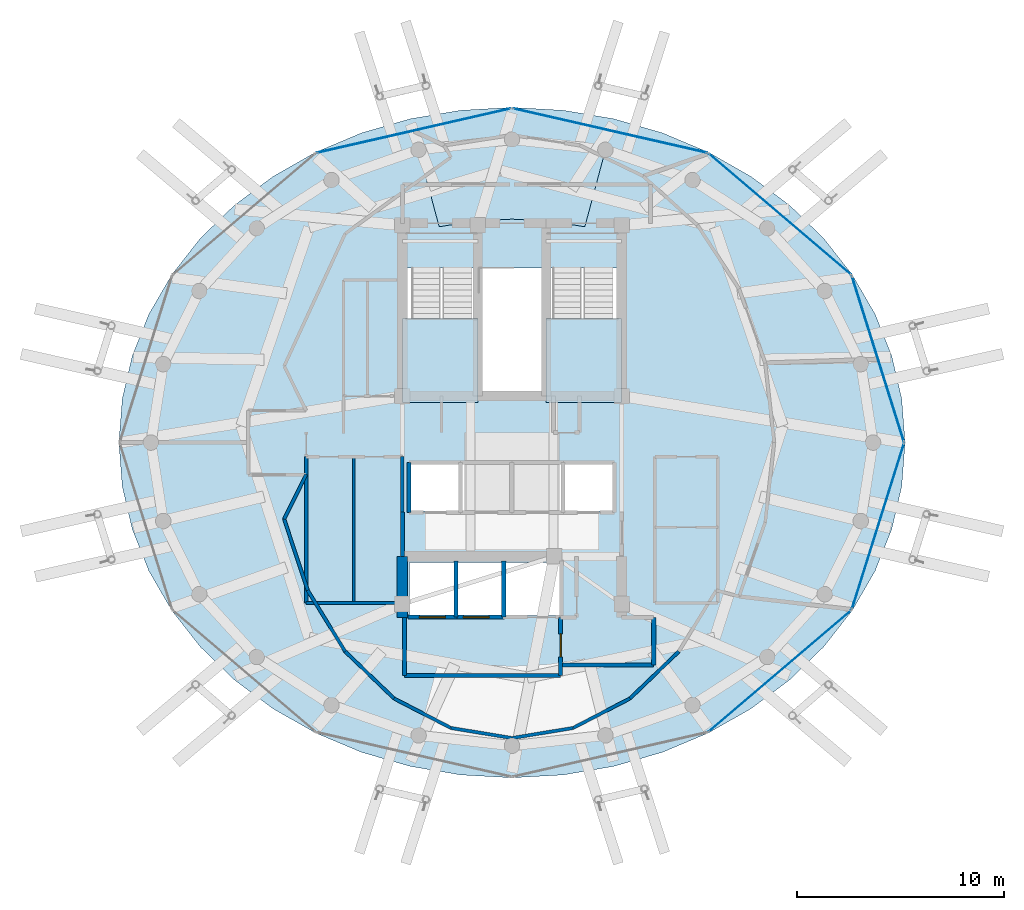
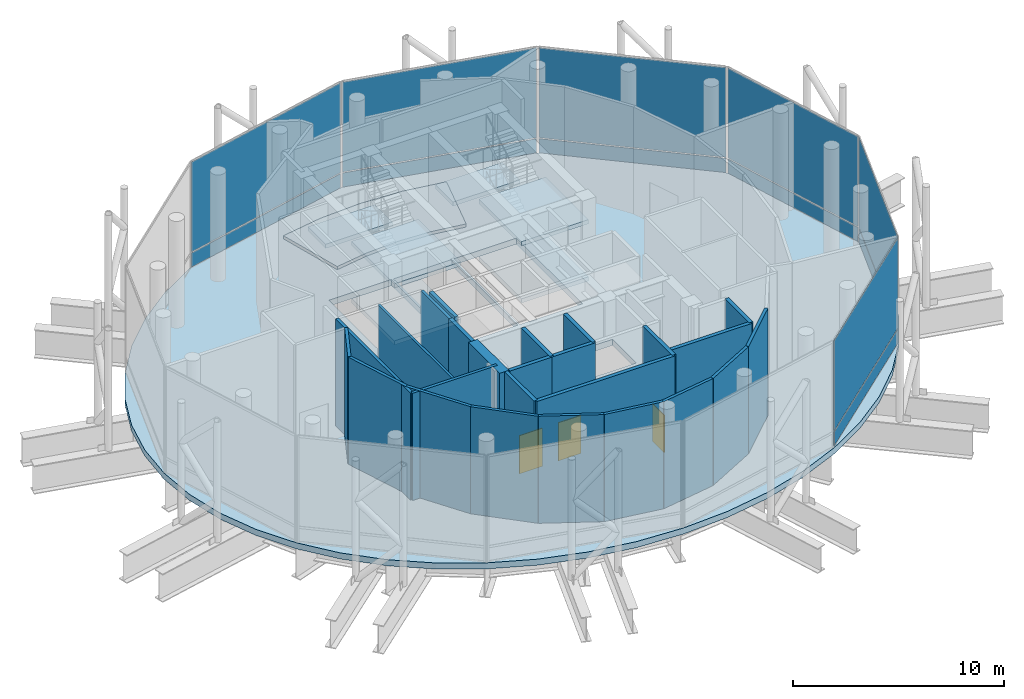
# One storey, part 20 of 26: 25 walls, 12 plates, 8 slabs, 3 doors, 3 openings, 8 elements without a shape of their own.
"""IFC4 building model written with IfcOpenShell, lengths in metres."""

import ifcopenshell
import ifcopenshell.guid

model = None  # the IFC model being written
_history = None  # IfcOwnerHistory: only IFC2X3 demands one
_inside = {}  # id of a spatial element -> (the spatial element, [elements in it])
_under = {}  # id of a project, library or spatial element -> (it, [spatial elements below it])
_declared = {}  # id of a project -> (the project, [libraries it declares])
_typed = {}  # id of a type object -> (the type object, [elements of that type])
_made_of = {}  # id of a material, layer set ... -> (it, [elements and type objects made of it])


def new_model(schema):
    """Start an empty IFC model of exactly this schema.

    Asked for "IFC4X3", IfcOpenShell would pick the latest addendum, in which some entities
    have other attributes; the version numbers below select the first issue.
    IFC2X3 requires an IfcOwnerHistory on every rooted entity: one is made here for all.
    """
    global model, _history
    if schema == "IFC4X3":
        model = ifcopenshell.file(schema_version=(4, 3, 0, 0))
    else:
        model = ifcopenshell.file(schema=schema)
    _inside.clear()
    _under.clear()
    _declared.clear()
    _typed.clear()
    _made_of.clear()
    _history = None
    if model.schema == "IFC2X3":
        org = make("IfcOrganization", Name="unknown")
        user = make(
            "IfcPersonAndOrganization",
            ThePerson=make("IfcPerson", FamilyName="unknown"),
            TheOrganization=org,
        )
        app = make(
            "IfcApplication",
            ApplicationDeveloper=org,
            Version="unknown",
            ApplicationFullName="unknown",
            ApplicationIdentifier="unknown",
        )
        _history = make(
            "IfcOwnerHistory",
            OwningUser=user,
            OwningApplication=app,
            ChangeAction="ADDED",
            CreationDate=0,
        )
    return model


def make(cls, **values):
    """One entity of the class cls with the attributes given. An attribute that is None is left unset."""
    return model.create_entity(
        cls, **{name: value for name, value in values.items() if value is not None}
    )


def rooted(cls, **values):
    """An entity with a GlobalId (a new one), such as an element, a storey or a relation."""
    return make(cls, GlobalId=ifcopenshell.guid.new(), OwnerHistory=_history, **values)


def si_unit(unit_type, name, prefix=None):
    """IfcSIUnit, for example si_unit("LENGTHUNIT", "METRE", prefix="MILLI")."""
    return make("IfcSIUnit", UnitType=unit_type, Prefix=prefix, Name=name)


def assignment(units):
    """IfcUnitAssignment: the units of a project."""
    return None if units is None else make("IfcUnitAssignment", Units=units)


def point(xyz):
    """IfcCartesianPoint."""
    return None if xyz is None else make("IfcCartesianPoint", Coordinates=xyz)


def direction(xyz):
    """IfcDirection."""
    return None if xyz is None else make("IfcDirection", DirectionRatios=xyz)


def frame(location, z_axis=None, x_axis=None):
    """IfcAxis2Placement3D, a coordinate frame: its origin and axes. An axis left out is left unset."""
    return make(
        "IfcAxis2Placement3D",
        Location=point(location),
        Axis=direction(z_axis),
        RefDirection=direction(x_axis),
    )


def frame_2d(location, x_axis=None):
    """IfcAxis2Placement2D, a coordinate frame in the plane: its origin and x axis."""
    return make(
        "IfcAxis2Placement2D", Location=point(location), RefDirection=direction(x_axis)
    )


def origin():
    """The frame at (0, 0, 0) with its axes left unset."""
    return frame((0.0, 0.0, 0.0))


def origin_2d():
    """The frame at (0, 0) in the plane with its x axis left unset."""
    return frame_2d((0.0, 0.0))


def place(relative_to, where):
    """IfcLocalPlacement: puts the frame where relative to a parent placement (None: the world)."""
    return make(
        "IfcLocalPlacement", PlacementRelTo=relative_to, RelativePlacement=where
    )


def context(
    kind, dimensions, precision=None, world=None, true_north=None, identifier=None
):
    """IfcGeometricRepresentationContext, for example the 3D "Model" context."""
    return make(
        "IfcGeometricRepresentationContext",
        ContextIdentifier=identifier,
        ContextType=kind,
        CoordinateSpaceDimension=dimensions,
        Precision=precision,
        WorldCoordinateSystem=world,
        TrueNorth=true_north,
    )


def subcontext(parent, identifier, kind, view, scale=None):
    """IfcGeometricRepresentationSubContext, for example "Body" below "Model"."""
    return make(
        "IfcGeometricRepresentationSubContext",
        ContextIdentifier=identifier,
        ContextType=kind,
        ParentContext=parent,
        TargetScale=scale,
        TargetView=view,
    )


def project(units=None, contexts=None):
    """IfcProject with its units and contexts."""
    return rooted(
        "IfcProject",
        Name="project",
        RepresentationContexts=contexts,
        UnitsInContext=assignment(units),
    )


def spatial(cls, under=None, at=None, **own):
    """A site, building, storey or space (cls), placed at a placement, below another one or the project."""
    s = rooted(cls, ObjectPlacement=at, **own)
    if under is not None:
        _under.setdefault(under.id(), (under, []))[1].append(s)
    return s


def polyline(points):
    """IfcPolyline through the points."""
    return make("IfcPolyline", Points=[point(p) for p in points])


def profile(cls, at=None, kind="AREA", **sizes):
    """A parametric profile (cls). Its sizes go by their IFC names, for example OverallWidth=200.0."""
    return make(cls, ProfileType=kind, Position=at, **sizes)


def rectangle(**sizes):
    """IfcRectangleProfileDef."""
    return profile("IfcRectangleProfileDef", **sizes)


def outline(outer, holes=None, kind="AREA"):
    """IfcArbitraryClosedProfileDef: a profile drawn as a closed curve; with holes, ...WithVoids."""
    if holes is None:
        return make("IfcArbitraryClosedProfileDef", ProfileType=kind, OuterCurve=outer)
    return make(
        "IfcArbitraryProfileDefWithVoids",
        ProfileType=kind,
        OuterCurve=outer,
        InnerCurves=holes,
    )


def extrude(swept, where, along, depth):
    """IfcExtrudedAreaSolid: the profile swept, set in the frame where, extruded along a direction by depth."""
    return make(
        "IfcExtrudedAreaSolid",
        SweptArea=swept,
        Position=where,
        ExtrudedDirection=direction(along),
        Depth=depth,
    )


def shape(context_of_items, identifier, shape_type, items):
    """IfcShapeRepresentation: the items that make up one representation, for example the "Body"."""
    return make(
        "IfcShapeRepresentation",
        ContextOfItems=context_of_items,
        RepresentationIdentifier=identifier,
        RepresentationType=shape_type,
        Items=items,
    )


def material(Name=None, Category=None):
    """IfcMaterial."""
    return make("IfcMaterial", Name=Name, Category=Category)


def layer(
    of_material, thickness, ventilated=None, Name=None, Category=None, Priority=None
):
    """IfcMaterialLayer: one layer of a wall or slab, of a material (None: an air gap)."""
    return make(
        "IfcMaterialLayer",
        Material=of_material,
        LayerThickness=thickness,
        IsVentilated=ventilated,
        Name=Name,
        Category=Category,
        Priority=Priority,
    )


def layer_set(layers, Name=None):
    """IfcMaterialLayerSet."""
    return make("IfcMaterialLayerSet", MaterialLayers=layers, LayerSetName=Name)


def made_of(thing, what):
    """Note that an element or type object is made of a material, layer set ...; save() writes the relation."""
    if what is not None:
        _made_of.setdefault(what.id(), (what, []))[1].append(thing)
    return thing


def type_object(cls, material=None, **own):
    """A type object (cls), such as IfcWallType, which elements share."""
    return made_of(rooted(cls, **own), material)


def element(
    cls,
    number,
    at=None,
    inside=None,
    cuts=None,
    type_object=None,
    material=None,
    context=None,
    identifier="Body",
    shape_type=None,
    held_by="IfcProductDefinitionShape",
    body=None,
    shapes=None,
    **own,
):
    """One element of the class cls, such as IfcWall. Its Tag is "e" and its number.

    at: its placement. inside: the storey or other place that contains it. cuts: it is an
    opening in that element (IfcRelVoidsElement). A single representation is given by context,
    identifier, shape_type and body (its items); several are given by shapes. held_by: the class
    of the entity that holds the representations. save() writes the other relations.
    """
    e = rooted(cls, Tag="e%d" % number, ObjectPlacement=at, **own)
    if body is not None:
        shapes = [shape(context, identifier, shape_type, body)]
    if shapes is not None:
        e.Representation = make(held_by, Representations=shapes)
    if inside is not None:
        _inside.setdefault(inside.id(), (inside, []))[1].append(e)
    if cuts is not None:
        rooted(
            "IfcRelVoidsElement", RelatingBuildingElement=cuts, RelatedOpeningElement=e
        )
    if type_object is not None:
        _typed.setdefault(type_object.id(), (type_object, []))[1].append(e)
    return made_of(e, material)


def fill(opening, filler):
    """IfcRelFillsElement: the door or window that sits in an opening."""
    return rooted(
        "IfcRelFillsElement",
        RelatingOpeningElement=opening,
        RelatedBuildingElement=filler,
    )


def aggregate(whole, parts):
    """IfcRelAggregates: a whole, such as a stair, and the parts it consists of."""
    return rooted("IfcRelAggregates", RelatingObject=whole, RelatedObjects=parts)


def save(model, path):
    """Write the relations noted so far, then the file.

    IfcRelAggregates (storeys below a building ...), IfcRelContainedInSpatialStructure (elements
    in a storey), IfcRelDefinesByType, IfcRelAssociatesMaterial and IfcRelDeclares: one each for
    every whole, place, type object, material and project.
    """
    for whole, parts in _under.values():
        aggregate(whole, parts)
    for where, things in _inside.values():
        rooted(
            "IfcRelContainedInSpatialStructure",
            RelatedElements=things,
            RelatingStructure=where,
        )
    for kind, things in _typed.values():
        rooted("IfcRelDefinesByType", RelatedObjects=things, RelatingType=kind)
    for what, things in _made_of.values():
        rooted("IfcRelAssociatesMaterial", RelatedObjects=things, RelatingMaterial=what)
    for by, libraries in _declared.values():
        rooted("IfcRelDeclares", RelatingContext=by, RelatedDefinitions=libraries)
    model.write(path)


model = new_model("IFC4")

# Units and contexts
model_context = context("Model", 3, precision=1e-05, world=origin(), true_north=direction((0.0, 1.0)))
body_context = subcontext(model_context, "Body", "Model", "MODEL_VIEW")
ifc_project = project(units=[si_unit("LENGTHUNIT", "METRE"), si_unit("AREAUNIT", "SQUARE_METRE"), si_unit("VOLUMEUNIT", "CUBIC_METRE"), si_unit("PLANEANGLEUNIT", "RADIAN"), si_unit("MASSUNIT", "GRAM", prefix="KILO")], contexts=[model_context])

# Site, building, storey
site_placement = place(None, origin())
site = spatial("IfcSite", under=ifc_project, at=site_placement, CompositionType="ELEMENT")
building_placement = place(site_placement, origin())
building = spatial("IfcBuilding", under=site, at=building_placement, Name="Nuhasar Tower", CompositionType="ELEMENT")
storey_placement = place(building_placement, frame((0.0, 0.0, 306.800048828125)))
storey = spatial("IfcBuildingStorey", under=building, at=storey_placement, Name="L76", CompositionType="ELEMENT", Elevation=306.800048828125)

# Curtain wall, plate
ifc_material_1 = material(Name="Aluminium 6063-T6", Category="aluminium")
ifc_layer_1 = layer(ifc_material_1, 0.239990234375)
ifc_layer_set_1 = layer_set([ifc_layer_1], Name="Aluminium 6063-T6")
curtain_wall_type = type_object("IfcCurtainWallType", Name="CW-SKY-LBY", PredefinedType="NOTDEFINED", material=ifc_layer_set_1)
curtain_wall_1_placement = place(storey_placement, origin())
curtain_wall_1 = element("IfcCurtainWall", 1, at=curtain_wall_1_placement, inside=storey, type_object=curtain_wall_type, Name="L76 Unitised Curtain Wall 01", PredefinedType="NOTDEFINED")
ifc_material_2 = material(Name="Glass Double Low-E", Category="glass")
ifc_layer_2 = layer(ifc_material_2, 0.028076171875)
ifc_layer_set_2 = layer_set([ifc_layer_2], Name="Glass Double Low-E")
plate_type_1 = type_object("IfcPlateType", Name="CW-PANEL-GLZ", PredefinedType="CURTAIN_PANEL", material=ifc_layer_set_2)
plate_1_placement = place(storey_placement, frame((56.68994140625, 30.840087890625, 0.929931640625), z_axis=(0.0, 0.0, 1.0), x_axis=(-0.299887997525, 0.953974417341, 0.0)))
plate_1 = element("IfcPlate", 2, at=plate_1_placement, type_object=plate_type_1, Name="CW-SL panel 1.2", PredefinedType="CURTAIN_PANEL", context=body_context, shape_type="SweptSolid", body=[
    extrude(rectangle(XDim=8.349853515625, YDim=0.028076171875, at=origin_2d()), origin(), (0.0, 0.0, 1.0), 5.18994140625),
])

curtain_wall_2_placement = place(storey_placement, origin())
curtain_wall_2 = element("IfcCurtainWall", 3, at=curtain_wall_2_placement, inside=storey, type_object=curtain_wall_type, Name="L76 Unitised Curtain Wall 02", PredefinedType="NOTDEFINED")
plate_2_placement = place(storey_placement, frame((51.949951171875, 37.83740234375, 0.929931640625), z_axis=(0.0, 0.0, 1.0), x_axis=(-0.761072779382, 0.648666497118, 0.0)))
plate_2 = element("IfcPlate", 4, at=plate_2_placement, type_object=plate_type_1, Name="CW-SL panel 1.2", PredefinedType="CURTAIN_PANEL", context=body_context, shape_type="SweptSolid", body=[
    extrude(rectangle(XDim=8.998779296875, YDim=0.028076171875, at=origin_2d()), origin(), (0.0, 0.0, 1.0), 5.18994140625),
])

curtain_wall_3_placement = place(storey_placement, origin())
curtain_wall_3 = element("IfcCurtainWall", 5, at=curtain_wall_3_placement, inside=storey, type_object=curtain_wall_type, Name="L76 Unitised Curtain Wall 03", PredefinedType="NOTDEFINED")
plate_3_placement = place(storey_placement, frame((43.739990234375, 41.87744140625, 0.929931640625), z_axis=(0.0, 0.0, 1.0), x_axis=(-0.974899975731, 0.222643296147, 0.0)))
plate_3 = element("IfcPlate", 6, at=plate_3_placement, type_object=plate_type_1, Name="CW-SL panel 1.2", PredefinedType="CURTAIN_PANEL", context=body_context, shape_type="SweptSolid", body=[
    extrude(rectangle(XDim=9.60400390625, YDim=0.028076171875, at=origin_2d()), origin(), (0.0, 0.0, 1.0), 5.18994140625),
])

curtain_wall_4_placement = place(storey_placement, origin())
curtain_wall_4 = element("IfcCurtainWall", 7, at=curtain_wall_4_placement, inside=storey, type_object=curtain_wall_type, Name="L76 Unitised Curtain Wall 04", PredefinedType="NOTDEFINED")
plate_4_placement = place(storey_placement, frame((34.260009765625, 41.87744140625, 0.929931640625), z_axis=(0.0, 0.0, 1.0), x_axis=(-0.974899975731, -0.222643296147, 0.0)))
plate_4 = element("IfcPlate", 8, at=plate_4_placement, type_object=plate_type_1, Name="CW-SL panel 1.2", PredefinedType="CURTAIN_PANEL", context=body_context, shape_type="SweptSolid", body=[
    extrude(rectangle(XDim=9.60400390625, YDim=0.028076171875, at=origin_2d()), origin(), (0.0, 0.0, 1.0), 5.18994140625),
])

curtain_wall_5_placement = place(storey_placement, origin())
curtain_wall_5 = element("IfcCurtainWall", 9, at=curtain_wall_5_placement, inside=storey, type_object=curtain_wall_type, Name="L76 Unitised Curtain Wall 11", PredefinedType="NOTDEFINED")
plate_5_placement = place(storey_placement, frame((51.949951171875, 15.762451171875, 0.929931640625), z_axis=(0.0, 0.0, 1.0), x_axis=(0.761072779382, 0.648666497118, 0.0)))
plate_5 = element("IfcPlate", 10, at=plate_5_placement, type_object=plate_type_1, Name="CW-SL panel 1.2", PredefinedType="CURTAIN_PANEL", context=body_context, shape_type="SweptSolid", body=[
    extrude(rectangle(XDim=8.998779296875, YDim=0.028076171875, at=origin_2d()), origin(), (0.0, 0.0, 1.0), 5.18994140625),
])

curtain_wall_6_placement = place(storey_placement, origin())
curtain_wall_6 = element("IfcCurtainWall", 11, at=curtain_wall_6_placement, inside=storey, type_object=curtain_wall_type, Name="L76 Unitised Curtain Wall 12", PredefinedType="NOTDEFINED")
plate_6_placement = place(storey_placement, frame((56.68994140625, 22.760009765625, 0.929931640625), z_axis=(0.0, 0.0, 1.0), x_axis=(0.299887997525, 0.953974417341, 0.0)))
plate_6 = element("IfcPlate", 12, at=plate_6_placement, type_object=plate_type_1, Name="CW-SL panel 1.2", PredefinedType="CURTAIN_PANEL", context=body_context, shape_type="SweptSolid", body=[
    extrude(rectangle(XDim=8.349853515625, YDim=0.028076171875, at=origin_2d()), origin(), (0.0, 0.0, 1.0), 5.18994140625),
])

# Plate
ifc_material_3 = material(Name="Glass Spandrel", Category="glass")
ifc_layer_3 = layer(ifc_material_3, 0.035888671875)
ifc_layer_set_3 = layer_set([ifc_layer_3], Name="Glass Spandrel")
plate_type_2 = type_object("IfcPlateType", Name="CW-PANEL-SPN", PredefinedType="CURTAIN_PANEL", material=ifc_layer_set_3)
plate_7_placement = place(storey_placement, frame((56.68994140625, 30.840087890625, 0.059814453125), z_axis=(0.0, 0.0, 1.0), x_axis=(-0.299887997525, 0.953974417341, 0.0)))
plate_7 = element("IfcPlate", 13, at=plate_7_placement, type_object=plate_type_2, Name="CW-SL panel 1.1", PredefinedType="CURTAIN_PANEL", context=body_context, shape_type="SweptSolid", body=[
    extrude(rectangle(XDim=8.349853515625, YDim=0.035888671875, at=origin_2d()), origin(), (0.0, 0.0, 1.0), 0.81005859375),
])

aggregate(curtain_wall_1, [plate_7, plate_1])

plate_8_placement = place(storey_placement, frame((51.949951171875, 37.83740234375, 0.059814453125), z_axis=(0.0, 0.0, 1.0), x_axis=(-0.761072779382, 0.648666497118, 0.0)))
plate_8 = element("IfcPlate", 14, at=plate_8_placement, type_object=plate_type_2, Name="CW-SL panel 1.1", PredefinedType="CURTAIN_PANEL", context=body_context, shape_type="SweptSolid", body=[
    extrude(rectangle(XDim=8.998779296875, YDim=0.035888671875, at=origin_2d()), origin(), (0.0, 0.0, 1.0), 0.81005859375),
])

aggregate(curtain_wall_2, [plate_8, plate_2])

plate_9_placement = place(storey_placement, frame((43.739990234375, 41.87744140625, 0.059814453125), z_axis=(0.0, 0.0, 1.0), x_axis=(-0.974899975731, 0.222643296147, 0.0)))
plate_9 = element("IfcPlate", 15, at=plate_9_placement, type_object=plate_type_2, Name="CW-SL panel 1.1", PredefinedType="CURTAIN_PANEL", context=body_context, shape_type="SweptSolid", body=[
    extrude(rectangle(XDim=9.60400390625, YDim=0.035888671875, at=origin_2d()), origin(), (0.0, 0.0, 1.0), 0.81005859375),
])

aggregate(curtain_wall_3, [plate_9, plate_3])

plate_10_placement = place(storey_placement, frame((34.260009765625, 41.87744140625, 0.059814453125), z_axis=(0.0, 0.0, 1.0), x_axis=(-0.974899975731, -0.222643296147, 0.0)))
plate_10 = element("IfcPlate", 16, at=plate_10_placement, type_object=plate_type_2, Name="CW-SL panel 1.1", PredefinedType="CURTAIN_PANEL", context=body_context, shape_type="SweptSolid", body=[
    extrude(rectangle(XDim=9.60400390625, YDim=0.035888671875, at=origin_2d()), origin(), (0.0, 0.0, 1.0), 0.81005859375),
])

aggregate(curtain_wall_4, [plate_10, plate_4])

plate_11_placement = place(storey_placement, frame((51.949951171875, 15.762451171875, 0.059814453125), z_axis=(0.0, 0.0, 1.0), x_axis=(0.761072779382, 0.648666497118, 0.0)))
plate_11 = element("IfcPlate", 17, at=plate_11_placement, type_object=plate_type_2, Name="CW-SL panel 1.1", PredefinedType="CURTAIN_PANEL", context=body_context, shape_type="SweptSolid", body=[
    extrude(rectangle(XDim=8.998779296875, YDim=0.035888671875, at=origin_2d()), origin(), (0.0, 0.0, 1.0), 0.81005859375),
])

aggregate(curtain_wall_5, [plate_11, plate_5])

plate_12_placement = place(storey_placement, frame((56.68994140625, 22.760009765625, 0.059814453125), z_axis=(0.0, 0.0, 1.0), x_axis=(0.299887997525, 0.953974417341, 0.0)))
plate_12 = element("IfcPlate", 18, at=plate_12_placement, type_object=plate_type_2, Name="CW-SL panel 1.1", PredefinedType="CURTAIN_PANEL", context=body_context, shape_type="SweptSolid", body=[
    extrude(rectangle(XDim=8.349853515625, YDim=0.035888671875, at=origin_2d()), origin(), (0.0, 0.0, 1.0), 0.81005859375),
])

aggregate(curtain_wall_6, [plate_12, plate_6])

# Slabs
ifc_material_4 = material(Name="Concrete C60/75", Category="concrete")
ifc_layer_4 = layer(ifc_material_4, 0.35009765625)
ifc_layer_set_4 = layer_set([ifc_layer_4], Name="Concrete C60/75")
slab_type_1 = type_object("IfcSlabType", Name="SLB-OUT-350", PredefinedType="FLOOR", material=ifc_layer_set_4)
slab_1_placement = place(storey_placement, frame((0.0, 0.0, -0.35009765625)))
element("IfcSlab", 19, at=slab_1_placement, inside=storey, type_object=slab_type_1, Name="L76 Structural Slab", PredefinedType="FLOOR", context=body_context, shape_type="SweptSolid", body=[
    extrude(outline(polyline([(58.0, 26.800048828125), (57.8369140625, 28.9150390625), (57.35302734375, 30.992919921875), (56.553955078125, 32.9990234375), (55.4541015625, 34.89990234375), (54.073974609375, 36.662109375), (52.43505859375, 38.2548828125), (50.56591796875, 39.652099609375), (48.5, 40.830078125), (46.27099609375, 41.76708984375), (43.91796875, 42.447998046875), (41.47998046875, 42.861083984375), (39.0, 43.0), (36.52001953125, 42.861083984375), (34.08203125, 42.447998046875), (31.72900390625, 41.76708984375), (29.5, 40.830078125), (27.43408203125, 39.652099609375), (25.56494140625, 38.2548828125), (23.926025390625, 36.662109375), (22.5458984375, 34.89990234375), (21.446044921875, 32.9990234375), (20.64697265625, 30.992919921875), (20.1630859375, 28.9150390625), (20.0, 26.800048828125), (20.1630859375, 24.68505859375), (20.64697265625, 22.60693359375), (21.446044921875, 20.60107421875), (22.5458984375, 18.699951171875), (23.926025390625, 16.93798828125), (25.56494140625, 15.344970703125), (27.43408203125, 13.947998046875), (29.5, 12.77001953125), (31.72900390625, 11.8330078125), (34.08203125, 11.152099609375), (36.52001953125, 10.739013671875), (39.0, 10.60009765625), (41.47998046875, 10.739013671875), (43.91796875, 11.152099609375), (46.27099609375, 11.8330078125), (48.5, 12.77001953125), (50.56591796875, 13.947998046875), (52.43505859375, 15.344970703125), (54.073974609375, 16.93798828125), (55.4541015625, 18.699951171875), (56.553955078125, 20.60107421875), (57.35302734375, 22.60693359375), (57.8369140625, 24.68505859375), (58.0, 26.800048828125)]), holes=[polyline([(33.8798828125, 35.25), (37.300048828125, 35.25), (37.300048828125, 29.0), (33.8798828125, 29.0), (33.8798828125, 35.25)]), polyline([(37.39990234375, 35.25), (40.60009765625, 35.25), (40.60009765625, 29.0), (37.39990234375, 29.0), (37.39990234375, 35.25)]), polyline([(40.699951171875, 35.25), (44.1201171875, 35.25), (44.1201171875, 29.0), (40.699951171875, 29.0), (40.699951171875, 35.25)]), polyline([(34.10009765625, 25.75), (36.43994140625, 25.75), (36.43994140625, 23.5), (34.10009765625, 23.5), (34.10009765625, 25.75)]), polyline([(36.580078125, 25.75), (38.919921875, 25.75), (38.919921875, 23.5), (36.580078125, 23.5), (36.580078125, 25.75)]), polyline([(39.06005859375, 25.75), (41.39990234375, 25.75), (41.39990234375, 23.5), (39.06005859375, 23.5), (39.06005859375, 25.75)]), polyline([(41.5400390625, 25.75), (43.8798828125, 25.75), (43.8798828125, 23.5), (41.5400390625, 23.5), (41.5400390625, 25.75)]), polyline([(34.050048828125, 21.0), (36.25, 21.0), (36.25, 18.449951171875), (34.050048828125, 18.449951171875), (34.050048828125, 21.0)]), polyline([(36.35009765625, 21.0), (38.550048828125, 21.0), (38.550048828125, 18.449951171875), (36.35009765625, 18.449951171875), (36.35009765625, 21.0)]), polyline([(38.64990234375, 21.0), (41.320068359375, 21.0), (41.320068359375, 18.449951171875), (38.64990234375, 18.449951171875), (38.64990234375, 21.0)])]), origin(), (0.0, 0.0, 1.0), 0.35009765625),
])
ifc_material_5 = material(Name="Concrete C50/60", Category="concrete")
ifc_layer_5 = layer(ifc_material_5, 0.199951171875)
ifc_layer_set_5 = layer_set([ifc_layer_5], Name="Concrete C50/60")
slab_type_2 = type_object("IfcSlabType", Name="SLB-PLN-200", PredefinedType="BASESLAB", material=ifc_layer_set_5)
slab_2_placement = place(storey_placement, origin())
element("IfcSlab", 20, at=slab_2_placement, inside=storey, type_object=slab_type_2, Name="L76 Viewing Feature Dais Slab North", PredefinedType="BASESLAB", context=body_context, shape_type="SweptSolid", body=[
    extrude(outline(polyline([(43.451904296875, 40.708984375), (41.2451171875, 41.076904296875), (39.0, 41.199951171875), (36.7548828125, 41.076904296875), (34.548095703125, 40.708984375), (35.47998046875, 37.23193359375), (37.22509765625, 37.508056640625), (39.0, 37.60009765625), (40.77490234375, 37.508056640625), (42.52001953125, 37.23193359375), (43.451904296875, 40.708984375)])), origin(), (0.0, 0.0, 1.0), 0.179931640625),
])

# Stair, slabs
ifc_material_6 = material(Name="Concrete C45/55", Category="concrete")
stair_type_1 = type_object("IfcStairType", Name="STR-ST-01-4F-40R-1650", PredefinedType="HALF_TURN_STAIR", material=ifc_material_6)
stair_1_placement = place(storey_placement, origin())
stair_1 = element("IfcStair", 21, at=stair_1_placement, inside=storey, type_object=stair_type_1, Name="L76 Exit Stair ST-01", PredefinedType="HALF_TURN_STAIR")
ifc_layer_6 = layer(ifc_material_6, 0.239990234375)
ifc_layer_set_6 = layer_set([ifc_layer_6], Name="Concrete C45/55")
slab_type_3 = type_object("IfcSlabType", Name="SLB-STAIR-LND-240", PredefinedType="LANDING", material=ifc_layer_set_6)
slab_3_placement = place(storey_placement, frame((0.0, 0.0, 1.409912109375)))
slab_3 = element("IfcSlab", 22, at=slab_3_placement, type_object=slab_type_3, Name="ST-01 landing 1", PredefinedType="LANDING", context=body_context, shape_type="SweptSolid", body=[
    extrude(outline(polyline([(33.699951171875, 28.75), (37.35009765625, 28.75), (37.35009765625, 32.800048828125), (33.699951171875, 32.800048828125), (33.699951171875, 28.75)])), origin(), (0.0, 0.0, 1.0), 0.239990234375),
])
slab_4_placement = place(storey_placement, frame((0.0, 0.0, 3.06005859375)))
slab_4 = element("IfcSlab", 23, at=slab_4_placement, type_object=slab_type_3, Name="ST-01 landing 2", PredefinedType="LANDING", context=body_context, shape_type="SweptSolid", body=[
    extrude(outline(polyline([(33.699951171875, 35.239990234375), (37.35009765625, 35.239990234375), (37.35009765625, 36.909912109375), (33.699951171875, 36.909912109375), (33.699951171875, 35.239990234375)])), origin(), (0.0, 0.0, 1.0), 0.239990234375),
])
slab_5_placement = place(storey_placement, frame((0.0, 0.0, 4.7099609375)))
slab_5 = element("IfcSlab", 24, at=slab_5_placement, type_object=slab_type_3, Name="ST-01 landing 3", PredefinedType="LANDING", context=body_context, shape_type="SweptSolid", body=[
    extrude(outline(polyline([(33.699951171875, 28.75), (37.35009765625, 28.75), (37.35009765625, 32.800048828125), (33.699951171875, 32.800048828125), (33.699951171875, 28.75)])), origin(), (0.0, 0.0, 1.0), 0.239990234375),
])
aggregate(stair_1, [slab_3, slab_4, slab_5])

stair_type_2 = type_object("IfcStairType", Name="STR-ST-02-4F-40R-1650", PredefinedType="HALF_TURN_STAIR", material=ifc_material_6)
stair_2_placement = place(storey_placement, origin())
stair_2 = element("IfcStair", 25, at=stair_2_placement, inside=storey, type_object=stair_type_2, Name="L76 Exit Stair ST-02", PredefinedType="HALF_TURN_STAIR")
slab_6_placement = place(storey_placement, frame((0.0, 0.0, 1.409912109375)))
slab_6 = element("IfcSlab", 26, at=slab_6_placement, type_object=slab_type_3, Name="ST-02 landing 1", PredefinedType="LANDING", context=body_context, shape_type="SweptSolid", body=[
    extrude(outline(polyline([(40.64990234375, 28.75), (44.300048828125, 28.75), (44.300048828125, 32.800048828125), (40.64990234375, 32.800048828125), (40.64990234375, 28.75)])), origin(), (0.0, 0.0, 1.0), 0.239990234375),
])
slab_7_placement = place(storey_placement, frame((0.0, 0.0, 3.06005859375)))
slab_7 = element("IfcSlab", 27, at=slab_7_placement, type_object=slab_type_3, Name="ST-02 landing 2", PredefinedType="LANDING", context=body_context, shape_type="SweptSolid", body=[
    extrude(outline(polyline([(40.64990234375, 35.239990234375), (44.300048828125, 35.239990234375), (44.300048828125, 36.909912109375), (40.64990234375, 36.909912109375), (40.64990234375, 35.239990234375)])), origin(), (0.0, 0.0, 1.0), 0.239990234375),
])
slab_8_placement = place(storey_placement, frame((0.0, 0.0, 4.7099609375)))
slab_8 = element("IfcSlab", 28, at=slab_8_placement, type_object=slab_type_3, Name="ST-02 landing 3", PredefinedType="LANDING", context=body_context, shape_type="SweptSolid", body=[
    extrude(outline(polyline([(40.64990234375, 28.75), (44.300048828125, 28.75), (44.300048828125, 32.800048828125), (40.64990234375, 32.800048828125), (40.64990234375, 28.75)])), origin(), (0.0, 0.0, 1.0), 0.239990234375),
])
aggregate(stair_2, [slab_6, slab_7, slab_8])

# Walls
ifc_layer_7 = layer(ifc_material_5, 0.5)
ifc_layer_set_7 = layer_set([ifc_layer_7], Name="Concrete C50/60")
wall_type_1 = type_object("IfcWallType", Name="WL-CORE-500", PredefinedType="SHEAR", material=ifc_layer_set_7)
wall_1_placement = place(storey_placement, frame((33.699951171875, 18.35009765625, 0.0), z_axis=(0.0, 0.0, 1.0), x_axis=(0.0, 1.0, 0.0)))
element("IfcWall", 29, at=wall_1_placement, inside=storey, type_object=wall_type_1, Name="L76 Core Shear Wall CW-SW CW-500", PredefinedType="SHEAR", context=body_context, shape_type="SweptSolid", body=[
    extrude(rectangle(XDim=2.949951171875, YDim=0.5, at=frame_2d((1.47509765625, 0.0))), origin(), (0.0, 0.0, 1.0), 6.179931640625),
])
ifc_material_7 = material(Name="Gypsum Board", Category="gypsum")
ifc_layer_8 = layer(ifc_material_7, 0.159912109375)
ifc_layer_set_8 = layer_set([ifc_layer_8], Name="Gypsum Board")
wall_type_2 = type_object("IfcWallType", Name="WL-CORR-160", PredefinedType="PARTITIONING", material=ifc_layer_set_8)
wall_2_placement = place(storey_placement, frame((29.050048828125, 19.050048828125, 0.0), z_axis=(0.0, 0.0, 1.0), x_axis=(1.0, 0.0, 0.0)))
element("IfcWall", 30, at=wall_2_placement, inside=storey, type_object=wall_type_2, Name="L76 Interior Partition RECL-B1-S", PredefinedType="PARTITIONING", context=body_context, shape_type="SweptSolid", body=[
    extrude(rectangle(XDim=4.64990234375, YDim=0.159912109375, at=frame_2d((2.324951171875, 0.0))), origin(), (0.0, 0.0, 1.0), 6.179931640625),
])
wall_3_placement = place(storey_placement, frame((29.050048828125, 19.050048828125, 0.0), z_axis=(0.0, 0.0, 1.0), x_axis=(0.0, 1.0, 0.0)))
element("IfcWall", 31, at=wall_3_placement, inside=storey, type_object=wall_type_2, Name="L76 Interior Partition RECL-B1-W", PredefinedType="PARTITIONING", context=body_context, shape_type="SweptSolid", body=[
    extrude(rectangle(XDim=7.070068359375, YDim=0.159912109375, at=frame_2d((3.53515625, 0.0))), origin(), (0.0, 0.0, 1.0), 6.179931640625),
])
wall_4_placement = place(storey_placement, frame((33.699951171875, 23.449951171875, 0.0), z_axis=(0.0, 0.0, 1.0), x_axis=(0.0, 1.0, 0.0)))
element("IfcWall", 32, at=wall_4_placement, inside=storey, type_object=wall_type_2, Name="L76 Interior Partition RECL-B1-E", PredefinedType="PARTITIONING", context=body_context, shape_type="SweptSolid", body=[
    extrude(rectangle(XDim=2.670166015625, YDim=0.159912109375, at=frame_2d((1.3349609375, 0.0))), origin(), (0.0, 0.0, 1.0), 6.179931640625),
])
wall_5_placement = place(storey_placement, frame((27.988037109375, 23.10400390625, 0.0), z_axis=(0.0, 0.0, 1.0), x_axis=(0.313965508334, -0.949434389295, 0.0)))
element("IfcWall", 33, at=wall_5_placement, inside=storey, type_object=wall_type_2, Name="L76 Interior Partition SWEST-CORE-S-26", PredefinedType="PARTITIONING", context=body_context, shape_type="SweptSolid", body=[
    extrude(rectangle(XDim=3.62744140625, YDim=0.159912109375, at=frame_2d((1.813720703125, 0.0))), origin(), (0.0, 0.0, 1.0), 6.179931640625),
])
wall_6_placement = place(storey_placement, frame((29.126953125, 19.659912109375, 0.0), z_axis=(0.0, 0.0, 1.0), x_axis=(0.522486120877, -0.852647789823, 0.0)))
element("IfcWall", 34, at=wall_6_placement, inside=storey, type_object=wall_type_2, Name="L76 Interior Partition SWEST-CORE-S-28", PredefinedType="PARTITIONING", context=body_context, shape_type="SweptSolid", body=[
    extrude(rectangle(XDim=3.468017578125, YDim=0.159912109375, at=frame_2d((1.73388671875, 0.0))), origin(), (0.0, 0.0, 1.0), 6.179931640625),
])
wall_7_placement = place(storey_placement, frame((30.93896484375, 16.702880859375, 0.0), z_axis=(0.0, 0.0, 1.0), x_axis=(0.72090897908, -0.693029756851, 0.0)))
element("IfcWall", 35, at=wall_7_placement, inside=storey, type_object=wall_type_2, Name="L76 Interior Partition SWEST-CORE-S-30", PredefinedType="PARTITIONING", context=body_context, shape_type="SweptSolid", body=[
    extrude(rectangle(XDim=3.275146484375, YDim=0.159912109375, at=frame_2d((1.6376953125, 0.0))), origin(), (0.0, 0.0, 1.0), 6.179931640625),
])
wall_8_placement = place(storey_placement, frame((33.300048828125, 14.43310546875, 0.0), z_axis=(0.0, 0.0, 1.0), x_axis=(0.887674575788, -0.460471331898, 0.0)))
element("IfcWall", 36, at=wall_8_placement, inside=storey, type_object=wall_type_2, Name="L76 Interior Partition SWEST-CORE-S-32", PredefinedType="PARTITIONING", context=body_context, shape_type="SweptSolid", body=[
    extrude(rectangle(XDim=3.096923828125, YDim=0.159912109375, at=frame_2d((1.54833984375, 0.0))), origin(), (0.0, 0.0, 1.0), 6.179931640625),
])
for number, where, z_axis, x_axis, name in (
    (37, (36.049072265625, 13.007080078125, 0.0), (0.0, 0.0, 1.0), (0.986650832406, -0.162850038111, 0.0), "L76 Interior Partition SWEST-CORE-S-34"),
    (38, (39.0, 12.52001953125, 0.0), (0.0, 0.0, 1.0), (0.986650832406, 0.162850038111, 0.0), "L76 Interior Partition SWEST-CORE-S-36"),
):
    element("IfcWall", number, at=place(storey_placement, frame(where, z_axis=z_axis, x_axis=x_axis)), inside=storey, type_object=wall_type_2, Name=name, PredefinedType="PARTITIONING", context=body_context, shape_type="SweptSolid", body=[
        extrude(rectangle(XDim=2.990966796875, YDim=0.159912109375, at=frame_2d((1.49560546875, 0.0))), origin(), (0.0, 0.0, 1.0), 6.179931640625),
    ])
wall_9_placement = place(storey_placement, frame((41.950927734375, 13.007080078125, 0.0), z_axis=(0.0, 0.0, 1.0), x_axis=(0.887674575788, 0.460471331898, 0.0)))
element("IfcWall", 39, at=wall_9_placement, inside=storey, type_object=wall_type_2, Name="L76 Interior Partition SWEST-CORE-S-38", PredefinedType="PARTITIONING", context=body_context, shape_type="SweptSolid", body=[
    extrude(rectangle(XDim=3.096923828125, YDim=0.159912109375, at=frame_2d((1.54833984375, 0.0))), origin(), (0.0, 0.0, 1.0), 6.179931640625),
])
wall_10_placement = place(storey_placement, frame((44.699951171875, 14.43310546875, 0.0), z_axis=(0.0, 0.0, 1.0), x_axis=(0.72090897908, 0.693029756851, 0.0)))
element("IfcWall", 40, at=wall_10_placement, inside=storey, type_object=wall_type_2, Name="L76 Interior Partition SWEST-CORE-S-40", PredefinedType="PARTITIONING", context=body_context, shape_type="SweptSolid", body=[
    extrude(rectangle(XDim=3.275146484375, YDim=0.159912109375, at=frame_2d((1.6376953125, 0.0))), origin(), (0.0, 0.0, 1.0), 6.179931640625),
])
wall_11_placement = place(storey_placement, frame((27.988037109375, 23.10400390625, 0.0), z_axis=(0.0, 0.0, 1.0), x_axis=(0.443539160525, 0.896254993337, 0.0)))
element("IfcWall", 41, at=wall_11_placement, inside=storey, type_object=wall_type_2, Name="L76 Interior Partition WVEST-CS", PredefinedType="PARTITIONING", context=body_context, shape_type="SweptSolid", body=[
    extrude(rectangle(XDim=2.394287109375, YDim=0.159912109375, at=frame_2d((1.197265625, 0.0))), origin(), (0.0, 0.0, 1.0), 6.179931640625),
])
ifc_layer_9 = layer(ifc_material_6, 0.199951171875)
ifc_layer_set_9 = layer_set([ifc_layer_9], Name="Concrete C45/55")
wall_type_3 = type_object("IfcWallType", Name="WL-LOBBY-200", PredefinedType="SOLIDWALL", material=ifc_layer_set_9)
wall_12_placement = place(storey_placement, frame((33.699951171875, 21.300048828125, 0.0), z_axis=(0.0, 0.0, 1.0), x_axis=(0.0, 1.0, 0.0)))
element("IfcWall", 42, at=wall_12_placement, inside=storey, type_object=wall_type_3, Name="L76 Interior Partition LLBH-W", PredefinedType="SOLIDWALL", context=body_context, shape_type="SweptSolid", body=[
    extrude(rectangle(XDim=2.14990234375, YDim=0.199951171875, at=frame_2d((1.074951171875, 0.0))), origin(), (0.0, 0.0, 1.0), 6.179931640625),
])
wall_13_placement = place(storey_placement, frame((33.800048828125, 15.550048828125, 0.0), z_axis=(0.0, 0.0, 1.0), x_axis=(1.0, 0.0, 0.0)))
element("IfcWall", 43, at=wall_13_placement, inside=storey, type_object=wall_type_3, Name="L76 Interior Partition FFL-S", PredefinedType="SOLIDWALL", context=body_context, shape_type="SweptSolid", body=[
    extrude(rectangle(XDim=7.550048828125, YDim=0.199951171875, at=frame_2d((3.77490234375, 0.0))), origin(), (0.0, 0.0, 1.0), 6.179931640625),
])
wall_14_placement = place(storey_placement, frame((33.800048828125, 15.550048828125, 0.0), z_axis=(0.0, 0.0, 1.0), x_axis=(0.0, 1.0, 0.0)))
element("IfcWall", 44, at=wall_14_placement, inside=storey, type_object=wall_type_3, Name="L76 Interior Partition FFL-W", PredefinedType="SOLIDWALL", context=body_context, shape_type="SweptSolid", body=[
    extrude(rectangle(XDim=2.800048828125, YDim=0.199951171875, at=frame_2d((1.39990234375, 0.0))), origin(), (0.0, 0.0, 1.0), 6.179931640625),
])

# Wall, opening, door
wall_15_placement = place(storey_placement, frame((41.35009765625, 15.550048828125, 0.0), z_axis=(0.0, 0.0, 1.0), x_axis=(0.0, 1.0, 0.0)))
wall_15 = element("IfcWall", 45, at=wall_15_placement, inside=storey, type_object=wall_type_3, Name="L76 Interior Partition FFL-E", PredefinedType="SOLIDWALL", context=body_context, shape_type="SweptSolid", body=[
    extrude(rectangle(XDim=2.800048828125, YDim=0.199951171875, at=frame_2d((1.39990234375, 0.0))), origin(), (0.0, 0.0, 1.0), 6.179931640625),
])
opening_1_placement = place(wall_15_placement, frame((0.89990234375, 0.0, 0.0)))
opening_1 = element("IfcOpeningElement", 46, at=opening_1_placement, cuts=wall_15, Name="Opening DS-02", PredefinedType="OPENING", context=body_context, shape_type="SweptSolid", body=[
    extrude(rectangle(XDim=1.10009765625, YDim=2.14990234375, at=frame_2d((0.550048828125, 1.074951171875))), frame((0.0, 0.10986328125, 0.0), z_axis=(0.0, -1.0, 0.0), x_axis=(1.0, 0.0, 0.0)), (0.0, 0.0, 1.0), 0.219970703125),
])
ifc_material_8 = material(Name="Steel S355", Category="steel")
door_type_1 = type_object("IfcDoorType", Name="DR-FFL-FD120-1100", OperationType="NOTDEFINED", PredefinedType="DOOR", material=ifc_material_8)
door_1_placement = place(opening_1_placement, origin())
door_1 = element("IfcDoor", 47, at=door_1_placement, inside=storey, type_object=door_type_1, Name="L76 Firefighting Lobby Door", OperationType="SINGLE_SWING_RIGHT", OverallHeight=2.14990234375, OverallWidth=1.10009765625, PredefinedType="DOOR", context=body_context, shape_type="SweptSolid", body=[
    extrude(rectangle(XDim=1.10009765625, YDim=2.14990234375, at=frame_2d((0.550048828125, 1.074951171875))), frame((0.0, 0.02490234375, 0.0), z_axis=(0.0, -1.0, 0.0), x_axis=(1.0, 0.0, 0.0)), (0.0, 0.0, 1.0), 0.050048828125),
])
fill(opening_1, door_1)

# Walls
wall_16_placement = place(storey_placement, frame((41.35009765625, 16.050048828125, 0.0), z_axis=(0.0, 0.0, 1.0), x_axis=(1.0, 0.0, 0.0)))
element("IfcWall", 48, at=wall_16_placement, inside=storey, type_object=wall_type_3, Name="L76 Interior Partition SVLV-S", PredefinedType="SOLIDWALL", context=body_context, shape_type="SweptSolid", body=[
    extrude(rectangle(XDim=4.5, YDim=0.199951171875, at=frame_2d((2.25, 0.0))), origin(), (0.0, 0.0, 1.0), 6.179931640625),
])
wall_17_placement = place(storey_placement, frame((45.85009765625, 16.050048828125, 0.0), z_axis=(0.0, 0.0, 1.0), x_axis=(0.0, 1.0, 0.0)))
element("IfcWall", 49, at=wall_17_placement, inside=storey, type_object=wall_type_3, Name="L76 Interior Partition SVLV-E", PredefinedType="SOLIDWALL", context=body_context, shape_type="SweptSolid", body=[
    extrude(rectangle(XDim=2.300048828125, YDim=0.199951171875, at=frame_2d((1.14990234375, 0.0))), origin(), (0.0, 0.0, 1.0), 6.179931640625),
])
ifc_layer_10 = layer(ifc_material_7, 0.125)
ifc_layer_set_10 = layer_set([ifc_layer_10], Name="Gypsum Board")
wall_type_4 = type_object("IfcWallType", Name="WL-PART-125", PredefinedType="PARTITIONING", material=ifc_layer_set_10)
wall_18_placement = place(storey_placement, frame((31.35009765625, 19.050048828125, 0.0), z_axis=(0.0, 0.0, 1.0), x_axis=(0.0, 1.0, 0.0)))
element("IfcWall", 50, at=wall_18_placement, inside=storey, type_object=wall_type_4, Name="L76 Interior Partition RECL-B1-V", PredefinedType="PARTITIONING", context=body_context, shape_type="SweptSolid", body=[
    extrude(rectangle(XDim=7.070068359375, YDim=0.125, at=frame_2d((3.53515625, 0.0))), origin(), (0.0, 0.0, 1.0), 6.179931640625),
])
ifc_layer_11 = layer(ifc_material_6, 0.199951171875)
ifc_layer_set_11 = layer_set([ifc_layer_11], Name="Concrete C45/55")
wall_type_5 = type_object("IfcWallType", Name="WL-SHAFT-200", PredefinedType="SOLIDWALL", material=ifc_layer_set_11)
wall_19_placement = place(storey_placement, frame((34.02001953125, 23.419921875, 0.0), z_axis=(0.0, 0.0, 1.0), x_axis=(0.0, 1.0, 0.0)))
element("IfcWall", 51, at=wall_19_placement, inside=storey, type_object=wall_type_5, Name="L76 Interior Partition SHF-PL-H01-W", PredefinedType="SOLIDWALL", context=body_context, shape_type="SweptSolid", body=[
    extrude(rectangle(XDim=2.41015625, YDim=0.199951171875, at=frame_2d((1.205078125, 0.0))), origin(), (0.0, 0.0, 1.0), 6.179931640625),
])

# Wall, opening, door
wall_20_placement = place(storey_placement, frame((33.969970703125, 18.3701171875, 0.0), z_axis=(0.0, 0.0, 1.0), x_axis=(1.0, 0.0, 0.0)))
wall_20 = element("IfcWall", 52, at=wall_20_placement, inside=storey, type_object=wall_type_5, Name="L76 Interior Partition SHF-FFL-01-S", PredefinedType="SOLIDWALL", context=body_context, shape_type="SweptSolid", body=[
    extrude(rectangle(XDim=2.360107421875, YDim=0.199951171875, at=frame_2d((1.18017578125, 0.0))), origin(), (0.0, 0.0, 1.0), 6.179931640625),
])
opening_2_placement = place(wall_20_placement, frame((0.554931640625, 0.0, 0.0)))
opening_2 = element("IfcOpeningElement", 53, at=opening_2_placement, cuts=wall_20, Name="Opening LD-F01", PredefinedType="OPENING", context=body_context, shape_type="SweptSolid", body=[
    extrude(rectangle(XDim=1.25, YDim=2.199951171875, at=frame_2d((0.625, 1.10009765625))), frame((0.0, 0.10986328125, 0.0), z_axis=(0.0, -1.0, 0.0), x_axis=(1.0, 0.0, 0.0)), (0.0, 0.0, 1.0), 0.219970703125),
])
ifc_material_9 = material(Name="Stainless Steel 316L", Category="steel")
door_type_2 = type_object("IfcDoorType", Name="LD-FFL-1250", OperationType="DOUBLE_DOOR_SLIDING", PredefinedType="DOOR", material=ifc_material_9)
door_2_placement = place(opening_2_placement, origin())
door_2 = element("IfcDoor", 54, at=door_2_placement, inside=storey, type_object=door_type_2, Name="L76 Lift Landing Door FFL-01", OperationType="DOUBLE_DOOR_SLIDING", OverallHeight=2.199951171875, OverallWidth=1.25, PredefinedType="DOOR", context=body_context, shape_type="SweptSolid", body=[
    extrude(rectangle(XDim=1.25, YDim=2.199951171875, at=frame_2d((0.625, 1.10009765625))), frame((0.0, 0.02490234375, 0.0), z_axis=(0.0, -1.0, 0.0), x_axis=(1.0, 0.0, 0.0)), (0.0, 0.0, 1.0), 0.050048828125),
])
fill(opening_2, door_2)

# Wall
wall_21_placement = place(storey_placement, frame((36.300048828125, 18.3701171875, 0.0), z_axis=(0.0, 0.0, 1.0), x_axis=(0.0, 1.0, 0.0)))
element("IfcWall", 55, at=wall_21_placement, inside=storey, type_object=wall_type_5, Name="L76 Interior Partition SHF-FFL-01-E", PredefinedType="SOLIDWALL", context=body_context, shape_type="SweptSolid", body=[
    extrude(rectangle(XDim=2.7099609375, YDim=0.199951171875, at=frame_2d((1.35498046875, 0.0))), origin(), (0.0, 0.0, 1.0), 6.179931640625),
])

# Wall, opening, door
wall_22_placement = place(storey_placement, frame((36.27001953125, 18.3701171875, 0.0), z_axis=(0.0, 0.0, 1.0), x_axis=(1.0, 0.0, 0.0)))
wall_22 = element("IfcWall", 56, at=wall_22_placement, inside=storey, type_object=wall_type_5, Name="L76 Interior Partition SHF-FFL-02-S", PredefinedType="SOLIDWALL", context=body_context, shape_type="SweptSolid", body=[
    extrude(rectangle(XDim=2.35986328125, YDim=0.199951171875, at=frame_2d((1.179931640625, 0.0))), origin(), (0.0, 0.0, 1.0), 6.179931640625),
])
opening_3_placement = place(wall_22_placement, frame((0.3798828125, 0.0, 0.0)))
opening_3 = element("IfcOpeningElement", 57, at=opening_3_placement, cuts=wall_22, Name="Opening LD-F02", PredefinedType="OPENING", context=body_context, shape_type="SweptSolid", body=[
    extrude(rectangle(XDim=1.25, YDim=2.199951171875, at=frame_2d((0.625, 1.10009765625))), frame((0.0, 0.10986328125, 0.0), z_axis=(0.0, -1.0, 0.0), x_axis=(1.0, 0.0, 0.0)), (0.0, 0.0, 1.0), 0.219970703125),
])
door_3_placement = place(opening_3_placement, origin())
door_3 = element("IfcDoor", 58, at=door_3_placement, inside=storey, type_object=door_type_2, Name="L76 Lift Landing Door FFL-02", OperationType="DOUBLE_DOOR_SLIDING", OverallHeight=2.199951171875, OverallWidth=1.25, PredefinedType="DOOR", context=body_context, shape_type="SweptSolid", body=[
    extrude(rectangle(XDim=1.25, YDim=2.199951171875, at=frame_2d((0.625, 1.10009765625))), frame((0.0, 0.02490234375, 0.0), z_axis=(0.0, -1.0, 0.0), x_axis=(1.0, 0.0, 0.0)), (0.0, 0.0, 1.0), 0.050048828125),
])
fill(opening_3, door_3)

# Wall
wall_23_placement = place(storey_placement, frame((38.60009765625, 18.3701171875, 0.0), z_axis=(0.0, 0.0, 1.0), x_axis=(0.0, 1.0, 0.0)))
element("IfcWall", 59, at=wall_23_placement, inside=storey, type_object=wall_type_5, Name="L76 Interior Partition SHF-FFL-02-E", PredefinedType="SOLIDWALL", context=body_context, shape_type="SweptSolid", body=[
    extrude(rectangle(XDim=2.7099609375, YDim=0.199951171875, at=frame_2d((1.35498046875, 0.0))), origin(), (0.0, 0.0, 1.0), 6.179931640625),
])

save(model, "model.ifc")
